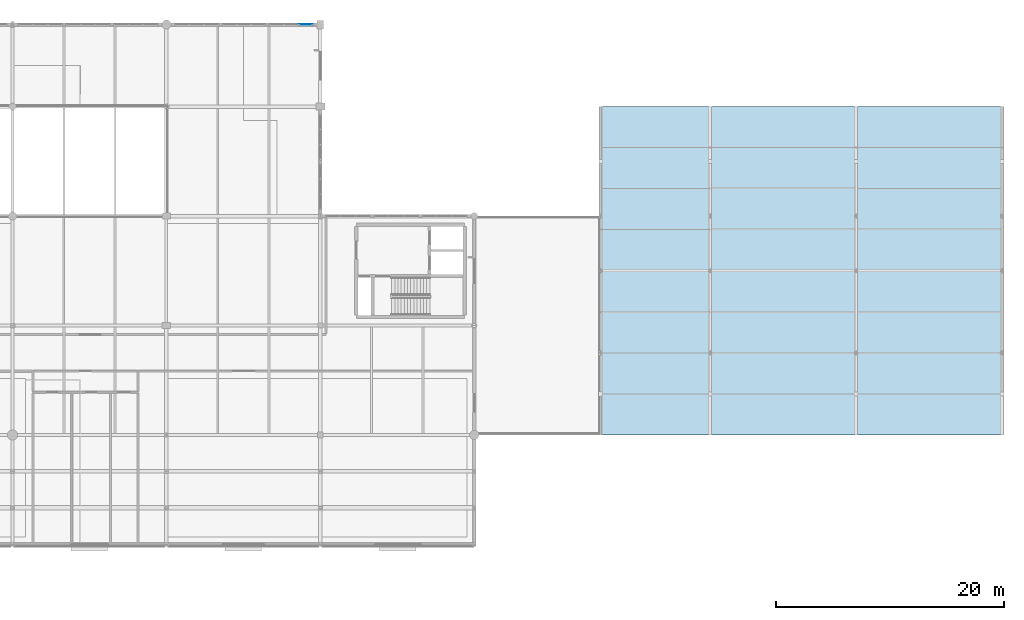
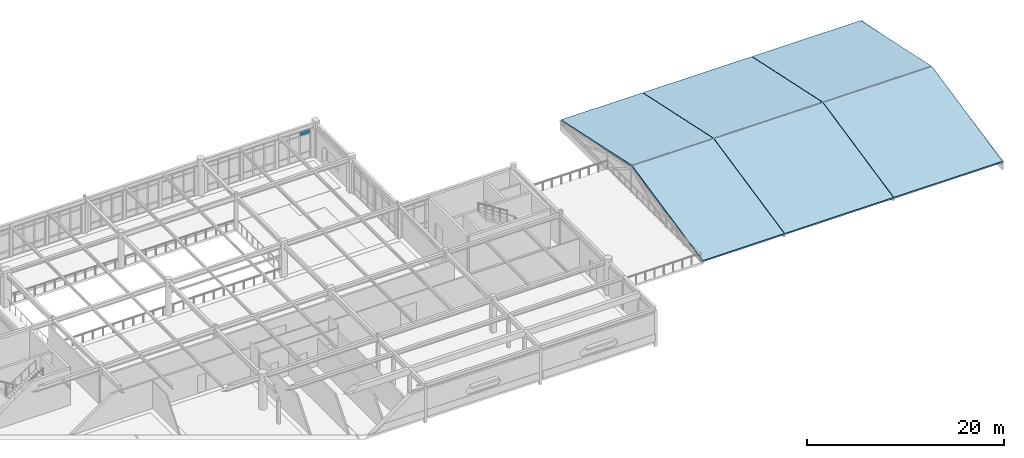
# One storey, part 42 of 61: 6 slabs, 1 plate, 4 elements without a shape of their own.
"""IFC4 building model written with IfcOpenShell, lengths in metres."""

from ifc_helpers import new_model, si_unit, direction, frame, origin, origin_2d, place, context, subcontext, project, spatial, polyline, rectangle, outline, extrude, material, layer, layer_set, type_object, element, aggregate, save


model = new_model("IFC4")

# Units and contexts
model_context = context("Model", 3, precision=1e-05, world=origin(), true_north=direction((0.0, 1.0)))
body_context = subcontext(model_context, "Body", "Model", "MODEL_VIEW")
ifc_project = project(units=[si_unit("LENGTHUNIT", "METRE"), si_unit("AREAUNIT", "SQUARE_METRE"), si_unit("VOLUMEUNIT", "CUBIC_METRE"), si_unit("PLANEANGLEUNIT", "RADIAN"), si_unit("MASSUNIT", "GRAM", prefix="KILO")], contexts=[model_context])

# Site, building, storey
site_placement = place(None, origin())
site = spatial("IfcSite", under=ifc_project, at=site_placement, CompositionType="ELEMENT")
building_placement = place(site_placement, origin())
building = spatial("IfcBuilding", under=site, at=building_placement, Name="Fikremerkos Civic Library", CompositionType="ELEMENT")
storey_placement = place(building_placement, frame((0.0, 0.0, 14.39990234375)))
storey = spatial("IfcBuildingStorey", under=building, at=storey_placement, Name="L03", CompositionType="ELEMENT", Elevation=14.39990234375)

# Curtain wall, plate
ifc_material_1 = material(Name="Anodized aluminium Frame", Category="aluminium")
ifc_layer_1 = layer(ifc_material_1, 0.159912109375, Name="Anodized aluminium Frame")
ifc_layer_set_1 = layer_set([ifc_layer_1], Name="Anodized aluminium Frame")
curtain_wall_type = type_object("IfcCurtainWallType", Name="Unitised curtain wall CW-06 4200x4100", PredefinedType="USERDEFINED", material=ifc_layer_set_1)
curtain_wall_placement = place(storey_placement, origin())
curtain_wall = element("IfcCurtainWall", 1, at=curtain_wall_placement, inside=storey, type_object=curtain_wall_type, Name="Unitised curtain wall CW-06 L03 #204", ObjectType="UNITISED CURTAIN WALL", PredefinedType="USERDEFINED")
ifc_material_2 = material(Name="Solar control double glazing", Category="glass")
ifc_layer_2 = layer(ifc_material_2, 0.035888671875, Name="Solar control double glazing")
ifc_layer_set_2 = layer_set([ifc_layer_2], Name="Solar control double glazing")
plate_type = type_object("IfcPlateType", Name="Curtain glazing panel CWP-02 36", PredefinedType="CURTAIN_PANEL", material=ifc_layer_set_2)
plate_placement = place(storey_placement, frame((98.92138671875, 48.0, 3.10009765625), z_axis=(0.0, 0.0, 1.0), x_axis=(1.0, 0.0, 0.0)))
plate = element("IfcPlate", 2, at=plate_placement, type_object=plate_type, Name="CW-06 panel 3.3", PredefinedType="CURTAIN_PANEL", context=body_context, shape_type="SweptSolid", body=[
    extrude(rectangle(XDim=1.19091796875, YDim=0.035888671875, at=origin_2d()), origin(), (0.0, 0.0, 1.0), 0.4599609375),
])
aggregate(curtain_wall, [plate])

# Roof, slabs
ifc_material_3 = material(Name="Concrete C40/50", Category="concrete")
ifc_layer_3 = layer(ifc_material_3, 0.219970703125, Name="Concrete C40/50")
ifc_layer_set_3 = layer_set([ifc_layer_3], Name="Concrete C40/50")
roof_type = type_object("IfcRoofType", Name="Auditorium folded acoustic roof RF-GB", PredefinedType="GABLE_ROOF", material=ifc_layer_set_3)
roof_1_placement = place(storey_placement, origin())
roof_1 = element("IfcRoof", 3, at=roof_1_placement, inside=storey, type_object=roof_type, Name="Auditorium folded acoustic roof #1", PredefinedType="GABLE_ROOF")
ifc_layer_4 = layer(ifc_material_3, 0.219970703125, Name="Concrete C40/50")
ifc_layer_set_4 = layer_set([ifc_layer_4], Name="Concrete C40/50")
slab_type = type_object("IfcSlabType", Name="Wing roof slab WRS-04 220", PredefinedType="ROOF", material=ifc_layer_set_4)
slab_1_placement = place(storey_placement, frame((124.820068359375, 12.0, 0.2001953125), z_axis=(0.0, -0.208673071192, 0.977985454575), x_axis=(1.0, 0.0, 0.0)))
slab_1 = element("IfcSlab", 4, at=slab_1_placement, type_object=slab_type, Name="Wing roof slab WRS-04 auditorium bay 1.1", PredefinedType="ROOF", context=body_context, shape_type="SweptSolid", body=[
    extrude(outline(polyline([(0.0, 0.0), (9.559814453125, 0.0), (9.559814453125, 14.667877355460991), (0.0, 14.667877355460991), (0.0, 0.0)])), origin(), (0.0, 0.0, -1.0), 0.219970703125),
])
slab_2_placement = place(storey_placement, frame((124.820068359375, 26.455078125, 3.260986328125), z_axis=(0.0, 0.208673071192, 0.977985454575), x_axis=(1.0, 0.0, 0.0)))
slab_2 = element("IfcSlab", 5, at=slab_2_placement, type_object=slab_type, Name="Wing roof slab WRS-04 auditorium bay 1.2", PredefinedType="ROOF", context=body_context, shape_type="SweptSolid", body=[
    extrude(outline(polyline([(0.0, 0.0), (9.559814453125, 0.0), (9.559814453125, 14.667877355460991), (0.0, 14.667877355460991), (0.0, 0.0)])), origin(), (0.0, 0.0, -1.0), 0.219970703125),
])
aggregate(roof_1, [slab_1, slab_2])

roof_2_placement = place(storey_placement, origin())
roof_2 = element("IfcRoof", 6, at=roof_2_placement, inside=storey, type_object=roof_type, Name="Auditorium folded acoustic roof #2", PredefinedType="GABLE_ROOF")
slab_3_placement = place(storey_placement, frame((134.419921875, 12.0, 0.2001953125), z_axis=(0.0, -0.208673071192, 0.977985454575), x_axis=(1.0, 0.0, 0.0)))
slab_3 = element("IfcSlab", 7, at=slab_3_placement, type_object=slab_type, Name="Wing roof slab WRS-04 auditorium bay 2.1", PredefinedType="ROOF", context=body_context, shape_type="SweptSolid", body=[
    extrude(outline(polyline([(0.0, 0.0), (12.760009765625, 0.0), (12.760009765625, 14.667877355460991), (0.0, 14.667877355460991), (0.0, 0.0)])), origin(), (0.0, 0.0, -1.0), 0.219970703125),
])
slab_4_placement = place(storey_placement, frame((134.419921875, 26.455078125, 3.260986328125), z_axis=(0.0, 0.208673071192, 0.977985454575), x_axis=(1.0, 0.0, 0.0)))
slab_4 = element("IfcSlab", 8, at=slab_4_placement, type_object=slab_type, Name="Wing roof slab WRS-04 auditorium bay 2.2", PredefinedType="ROOF", context=body_context, shape_type="SweptSolid", body=[
    extrude(outline(polyline([(0.0, 0.0), (12.760009765625, 0.0), (12.760009765625, 14.667877355460991), (0.0, 14.667877355460991), (0.0, 0.0)])), origin(), (0.0, 0.0, -1.0), 0.219970703125),
])
aggregate(roof_2, [slab_3, slab_4])

roof_3_placement = place(storey_placement, origin())
roof_3 = element("IfcRoof", 9, at=roof_3_placement, inside=storey, type_object=roof_type, Name="Auditorium folded acoustic roof #3", PredefinedType="GABLE_ROOF")
slab_5_placement = place(storey_placement, frame((147.219970703125, 12.0, 0.2001953125), z_axis=(0.0, -0.208673071192, 0.977985454575), x_axis=(1.0, 0.0, 0.0)))
slab_5 = element("IfcSlab", 10, at=slab_5_placement, type_object=slab_type, Name="Wing roof slab WRS-04 auditorium bay 3.1", PredefinedType="ROOF", context=body_context, shape_type="SweptSolid", body=[
    extrude(outline(polyline([(0.0, 0.0), (12.760009765625, 0.0), (12.760009765625, 14.667877355460991), (0.0, 14.667877355460991), (0.0, 0.0)])), origin(), (0.0, 0.0, -1.0), 0.219970703125),
])
slab_6_placement = place(storey_placement, frame((147.219970703125, 26.455078125, 3.260986328125), z_axis=(0.0, 0.208673071192, 0.977985454575), x_axis=(1.0, 0.0, 0.0)))
slab_6 = element("IfcSlab", 11, at=slab_6_placement, type_object=slab_type, Name="Wing roof slab WRS-04 auditorium bay 3.2", PredefinedType="ROOF", context=body_context, shape_type="SweptSolid", body=[
    extrude(outline(polyline([(0.0, 0.0), (12.760009765625, 0.0), (12.760009765625, 14.667877355460991), (0.0, 14.667877355460991), (0.0, 0.0)])), origin(), (0.0, 0.0, -1.0), 0.219970703125),
])
aggregate(roof_3, [slab_5, slab_6])

save(model, "model.ifc")
